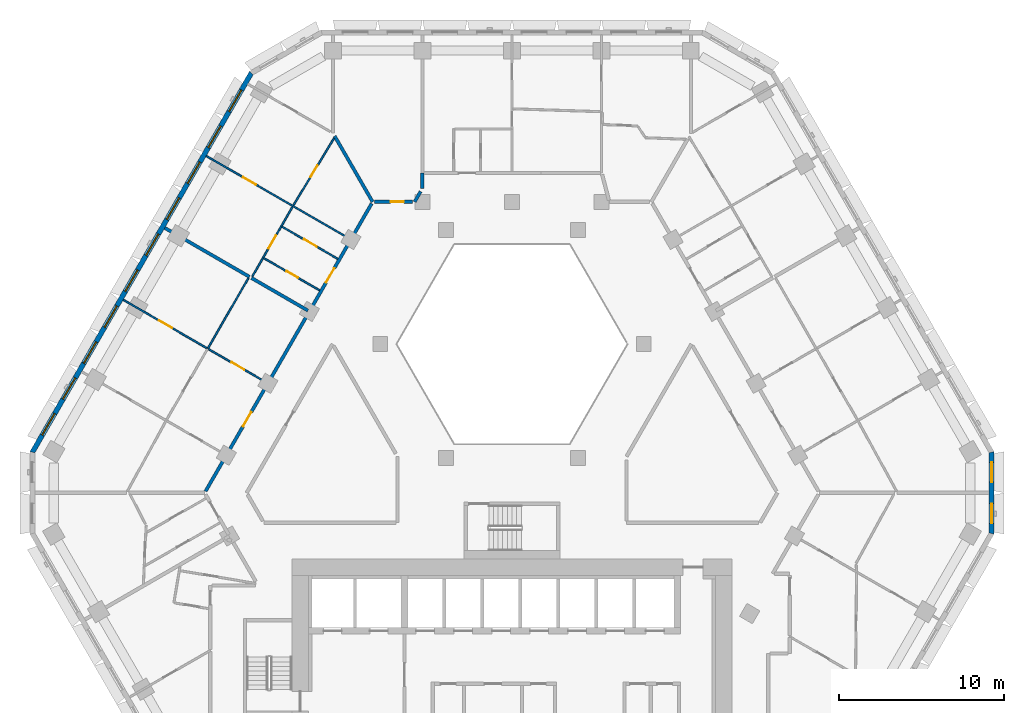
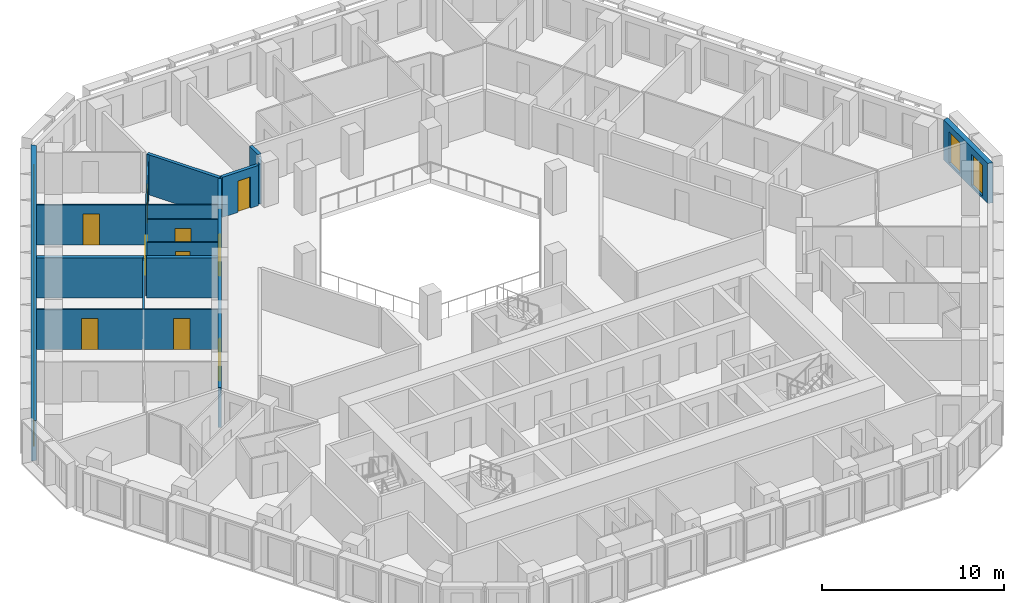
# One storey, part 8 of 18: 16 walls, 12 windows, 10 doors, 22 openings.
"""IFC4 building model written with IfcOpenShell, lengths in metres."""

from ifc_helpers import new_model, si_unit, direction, frame, frame_2d, origin, place, context, subcontext, project, spatial, polyline, rectangle, outline, extrude, material, layer, layer_set, type_object, element, fill, save


model = new_model("IFC4")

# Units and contexts
model_context = context("Model", 3, precision=1e-05, world=origin(), true_north=direction((0.0, 1.0)))
body_context = subcontext(model_context, "Body", "Model", "MODEL_VIEW")
ifc_project = project(units=[si_unit("LENGTHUNIT", "METRE"), si_unit("AREAUNIT", "SQUARE_METRE"), si_unit("VOLUMEUNIT", "CUBIC_METRE"), si_unit("PLANEANGLEUNIT", "RADIAN"), si_unit("MASSUNIT", "GRAM", prefix="KILO")], contexts=[model_context])

# Site, building, storey
site_placement = place(None, origin())
site = spatial("IfcSite", under=ifc_project, at=site_placement, CompositionType="ELEMENT")
building_placement = place(site_placement, origin())
building = spatial("IfcBuilding", under=site, at=building_placement, Name="Beryl Residences", CompositionType="ELEMENT")
storey_placement = place(building_placement, frame((0.0, 0.0, 93.0)))
storey = spatial("IfcBuildingStorey", under=building, at=storey_placement, Name="L28", CompositionType="ELEMENT", Elevation=93.0)

# Wall, openings, windows
ifc_material_1 = material(Name="Composite metal panel with mineral wool insulation")
ifc_layer_1 = layer(ifc_material_1, 0.300048828125)
ifc_layer_set_1 = layer_set([ifc_layer_1], Name="ES1 pale metal composite panel wall 300 mm")
wall_type_1 = type_object("IfcWallType", Name="ES1 pale metal composite panel wall 300 mm", PredefinedType="SOLIDWALL", material=ifc_layer_set_1)
wall_1_placement = place(storey_placement, frame((-15.7470703125, 24.425048828125, 0.0), z_axis=(0.0, 0.0, 1.0), x_axis=(-0.500027479704, -0.866009537788, 0.0)))
wall_1 = element("IfcWall", 1, at=wall_1_placement, inside=storey, type_object=wall_type_1, Name="ES1 external wall L28 NW", PredefinedType="SOLIDWALL", context=body_context, shape_type="SweptSolid", body=[
    extrude(outline(polyline([(0.0, -0.14990234375), (26.55859375, -0.14990234375), (26.478271484375, 0.14990234375), (0.080322265625, 0.14990234375), (0.0, -0.14990234375)])), origin(), (0.0, 0.0, 1.0), 2.699951171875),
])
opening_1_placement = place(wall_1_placement, frame((1.22705078125, 0.0, 0.14990234375)))
opening_1 = element("IfcOpeningElement", 2, at=opening_1_placement, cuts=wall_1, Name="Opening W1", PredefinedType="OPENING", context=body_context, shape_type="SweptSolid", body=[
    extrude(rectangle(XDim=1.5, YDim=2.10009765625, at=frame_2d((0.75, 1.050048828125))), frame((0.0, 0.159912109375, 0.0), z_axis=(0.0, -1.0, 0.0), x_axis=(1.0, 0.0, 0.0)), (0.0, 0.0, 1.0), 0.320068359375),
])
opening_2_placement = place(wall_1_placement, frame((3.739013671875, 0.0, 0.14990234375)))
opening_2 = element("IfcOpeningElement", 3, at=opening_2_placement, cuts=wall_1, Name="Opening W1", PredefinedType="OPENING", context=body_context, shape_type="SweptSolid", body=[
    extrude(rectangle(XDim=1.5, YDim=2.10009765625, at=frame_2d((0.75, 1.050048828125))), frame((0.0, 0.159912109375, 0.0), z_axis=(0.0, -1.0, 0.0), x_axis=(1.0, 0.0, 0.0)), (0.0, 0.0, 1.0), 0.320068359375),
])
opening_3_placement = place(wall_1_placement, frame((6.25, 0.0, 0.14990234375)))
opening_3 = element("IfcOpeningElement", 4, at=opening_3_placement, cuts=wall_1, Name="Opening W1", PredefinedType="OPENING", context=body_context, shape_type="SweptSolid", body=[
    extrude(rectangle(XDim=1.5, YDim=2.10009765625, at=frame_2d((0.75, 1.050048828125))), frame((0.0, 0.159912109375, 0.0), z_axis=(0.0, -1.0, 0.0), x_axis=(1.0, 0.0, 0.0)), (0.0, 0.0, 1.0), 0.320068359375),
])
opening_4_placement = place(wall_1_placement, frame((8.760986328125, 0.0, 0.14990234375)))
opening_4 = element("IfcOpeningElement", 5, at=opening_4_placement, cuts=wall_1, Name="Opening W1", PredefinedType="OPENING", context=body_context, shape_type="SweptSolid", body=[
    extrude(rectangle(XDim=1.5, YDim=2.10009765625, at=frame_2d((0.75, 1.050048828125))), frame((0.0, 0.159912109375, 0.0), z_axis=(0.0, -1.0, 0.0), x_axis=(1.0, 0.0, 0.0)), (0.0, 0.0, 1.0), 0.320068359375),
])
opening_5_placement = place(wall_1_placement, frame((11.27294921875, 0.0, 0.14990234375)))
opening_5 = element("IfcOpeningElement", 6, at=opening_5_placement, cuts=wall_1, Name="Opening W1", PredefinedType="OPENING", context=body_context, shape_type="SweptSolid", body=[
    extrude(rectangle(XDim=1.5, YDim=2.10009765625, at=frame_2d((0.75, 1.050048828125))), frame((0.0, 0.159912109375, 0.0), z_axis=(0.0, -1.0, 0.0), x_axis=(1.0, 0.0, 0.0)), (0.0, 0.0, 1.0), 0.320068359375),
])
opening_6_placement = place(wall_1_placement, frame((13.784912109375, 0.0, 0.14990234375)))
opening_6 = element("IfcOpeningElement", 7, at=opening_6_placement, cuts=wall_1, Name="Opening W1", PredefinedType="OPENING", context=body_context, shape_type="SweptSolid", body=[
    extrude(rectangle(XDim=1.5, YDim=2.10009765625, at=frame_2d((0.75, 1.050048828125))), frame((0.0, 0.159912109375, 0.0), z_axis=(0.0, -1.0, 0.0), x_axis=(1.0, 0.0, 0.0)), (0.0, 0.0, 1.0), 0.320068359375),
])
opening_7_placement = place(wall_1_placement, frame((16.2958984375, 0.0, 0.14990234375)))
opening_7 = element("IfcOpeningElement", 8, at=opening_7_placement, cuts=wall_1, Name="Opening W1", PredefinedType="OPENING", context=body_context, shape_type="SweptSolid", body=[
    extrude(rectangle(XDim=1.5, YDim=2.10009765625, at=frame_2d((0.75, 1.050048828125))), frame((0.0, 0.159912109375, 0.0), z_axis=(0.0, -1.0, 0.0), x_axis=(1.0, 0.0, 0.0)), (0.0, 0.0, 1.0), 0.320068359375),
])
opening_8_placement = place(wall_1_placement, frame((18.806884765625, 0.0, 0.14990234375)))
opening_8 = element("IfcOpeningElement", 9, at=opening_8_placement, cuts=wall_1, Name="Opening W1", PredefinedType="OPENING", context=body_context, shape_type="SweptSolid", body=[
    extrude(rectangle(XDim=1.5, YDim=2.10009765625, at=frame_2d((0.75, 1.050048828125))), frame((0.0, 0.159912109375, 0.0), z_axis=(0.0, -1.0, 0.0), x_axis=(1.0, 0.0, 0.0)), (0.0, 0.0, 1.0), 0.320068359375),
])
opening_9_placement = place(wall_1_placement, frame((21.319091796875, 0.0, 0.14990234375)))
opening_9 = element("IfcOpeningElement", 10, at=opening_9_placement, cuts=wall_1, Name="Opening W1", PredefinedType="OPENING", context=body_context, shape_type="SweptSolid", body=[
    extrude(rectangle(XDim=1.5, YDim=2.10009765625, at=frame_2d((0.75, 1.050048828125))), frame((0.0, 0.159912109375, 0.0), z_axis=(0.0, -1.0, 0.0), x_axis=(1.0, 0.0, 0.0)), (0.0, 0.0, 1.0), 0.320068359375),
])
opening_10_placement = place(wall_1_placement, frame((23.8310546875, 0.0, 0.14990234375)))
opening_10 = element("IfcOpeningElement", 11, at=opening_10_placement, cuts=wall_1, Name="Opening W1", PredefinedType="OPENING", context=body_context, shape_type="SweptSolid", body=[
    extrude(rectangle(XDim=1.5, YDim=2.10009765625, at=frame_2d((0.75, 1.050048828125))), frame((0.0, 0.159912109375, 0.0), z_axis=(0.0, -1.0, 0.0), x_axis=(1.0, 0.0, 0.0)), (0.0, 0.0, 1.0), 0.320068359375),
])
ifc_material_2 = material(Name="Aluminium and clear glass", Category="aluminium")
window_type_1 = type_object("IfcWindowType", Name="W1 cell window 1500 x 2100 mm", PartitioningType="SINGLE_PANEL", PredefinedType="WINDOW", material=ifc_material_2)
window_1_placement = place(opening_1_placement, origin())
window_1 = element("IfcWindow", 12, at=window_1_placement, inside=storey, type_object=window_type_1, Name="W1 window L28 NW 1", OverallHeight=2.10009765625, OverallWidth=1.5, PartitioningType="SINGLE_PANEL", PredefinedType="WINDOW", context=body_context, shape_type="SweptSolid", body=[
    extrude(rectangle(XDim=1.5, YDim=2.10009765625, at=frame_2d((0.75, 1.050048828125))), frame((0.0, 0.030029296875, 0.0), z_axis=(0.0, -1.0, 0.0), x_axis=(1.0, 0.0, 0.0)), (0.0, 0.0, 1.0), 0.06005859375),
])
fill(opening_1, window_1)
window_2_placement = place(opening_2_placement, origin())
window_2 = element("IfcWindow", 13, at=window_2_placement, inside=storey, type_object=window_type_1, Name="W1 window L28 NW 2", OverallHeight=2.10009765625, OverallWidth=1.5, PartitioningType="SINGLE_PANEL", PredefinedType="WINDOW", context=body_context, shape_type="SweptSolid", body=[
    extrude(rectangle(XDim=1.5, YDim=2.10009765625, at=frame_2d((0.75, 1.050048828125))), frame((0.0, 0.030029296875, 0.0), z_axis=(0.0, -1.0, 0.0), x_axis=(1.0, 0.0, 0.0)), (0.0, 0.0, 1.0), 0.06005859375),
])
fill(opening_2, window_2)
window_3_placement = place(opening_3_placement, origin())
window_3 = element("IfcWindow", 14, at=window_3_placement, inside=storey, type_object=window_type_1, Name="W1 window L28 NW 3", OverallHeight=2.10009765625, OverallWidth=1.5, PartitioningType="SINGLE_PANEL", PredefinedType="WINDOW", context=body_context, shape_type="SweptSolid", body=[
    extrude(rectangle(XDim=1.5, YDim=2.10009765625, at=frame_2d((0.75, 1.050048828125))), frame((0.0, 0.030029296875, 0.0), z_axis=(0.0, -1.0, 0.0), x_axis=(1.0, 0.0, 0.0)), (0.0, 0.0, 1.0), 0.06005859375),
])
fill(opening_3, window_3)
window_4_placement = place(opening_4_placement, origin())
window_4 = element("IfcWindow", 15, at=window_4_placement, inside=storey, type_object=window_type_1, Name="W1 window L28 NW 4", OverallHeight=2.10009765625, OverallWidth=1.5, PartitioningType="SINGLE_PANEL", PredefinedType="WINDOW", context=body_context, shape_type="SweptSolid", body=[
    extrude(rectangle(XDim=1.5, YDim=2.10009765625, at=frame_2d((0.75, 1.050048828125))), frame((0.0, 0.030029296875, 0.0), z_axis=(0.0, -1.0, 0.0), x_axis=(1.0, 0.0, 0.0)), (0.0, 0.0, 1.0), 0.06005859375),
])
fill(opening_4, window_4)
window_5_placement = place(opening_5_placement, origin())
window_5 = element("IfcWindow", 16, at=window_5_placement, inside=storey, type_object=window_type_1, Name="W1 window L28 NW 5", OverallHeight=2.10009765625, OverallWidth=1.5, PartitioningType="SINGLE_PANEL", PredefinedType="WINDOW", context=body_context, shape_type="SweptSolid", body=[
    extrude(rectangle(XDim=1.5, YDim=2.10009765625, at=frame_2d((0.75, 1.050048828125))), frame((0.0, 0.030029296875, 0.0), z_axis=(0.0, -1.0, 0.0), x_axis=(1.0, 0.0, 0.0)), (0.0, 0.0, 1.0), 0.06005859375),
])
fill(opening_5, window_5)
window_6_placement = place(opening_6_placement, origin())
window_6 = element("IfcWindow", 17, at=window_6_placement, inside=storey, type_object=window_type_1, Name="W1 window L28 NW 6", OverallHeight=2.10009765625, OverallWidth=1.5, PartitioningType="SINGLE_PANEL", PredefinedType="WINDOW", context=body_context, shape_type="SweptSolid", body=[
    extrude(rectangle(XDim=1.5, YDim=2.10009765625, at=frame_2d((0.75, 1.050048828125))), frame((0.0, 0.030029296875, 0.0), z_axis=(0.0, -1.0, 0.0), x_axis=(1.0, 0.0, 0.0)), (0.0, 0.0, 1.0), 0.06005859375),
])
fill(opening_6, window_6)
window_7_placement = place(opening_7_placement, origin())
window_7 = element("IfcWindow", 18, at=window_7_placement, inside=storey, type_object=window_type_1, Name="W1 window L28 NW 7", OverallHeight=2.10009765625, OverallWidth=1.5, PartitioningType="SINGLE_PANEL", PredefinedType="WINDOW", context=body_context, shape_type="SweptSolid", body=[
    extrude(rectangle(XDim=1.5, YDim=2.10009765625, at=frame_2d((0.75, 1.050048828125))), frame((0.0, 0.030029296875, 0.0), z_axis=(0.0, -1.0, 0.0), x_axis=(1.0, 0.0, 0.0)), (0.0, 0.0, 1.0), 0.06005859375),
])
fill(opening_7, window_7)
window_8_placement = place(opening_8_placement, origin())
window_8 = element("IfcWindow", 19, at=window_8_placement, inside=storey, type_object=window_type_1, Name="W1 window L28 NW 8", OverallHeight=2.10009765625, OverallWidth=1.5, PartitioningType="SINGLE_PANEL", PredefinedType="WINDOW", context=body_context, shape_type="SweptSolid", body=[
    extrude(rectangle(XDim=1.5, YDim=2.10009765625, at=frame_2d((0.75, 1.050048828125))), frame((0.0, 0.030029296875, 0.0), z_axis=(0.0, -1.0, 0.0), x_axis=(1.0, 0.0, 0.0)), (0.0, 0.0, 1.0), 0.06005859375),
])
fill(opening_8, window_8)
window_9_placement = place(opening_9_placement, origin())
window_9 = element("IfcWindow", 20, at=window_9_placement, inside=storey, type_object=window_type_1, Name="W1 window L28 NW 9", OverallHeight=2.10009765625, OverallWidth=1.5, PartitioningType="SINGLE_PANEL", PredefinedType="WINDOW", context=body_context, shape_type="SweptSolid", body=[
    extrude(rectangle(XDim=1.5, YDim=2.10009765625, at=frame_2d((0.75, 1.050048828125))), frame((0.0, 0.030029296875, 0.0), z_axis=(0.0, -1.0, 0.0), x_axis=(1.0, 0.0, 0.0)), (0.0, 0.0, 1.0), 0.06005859375),
])
fill(opening_9, window_9)
window_10_placement = place(opening_10_placement, origin())
window_10 = element("IfcWindow", 21, at=window_10_placement, inside=storey, type_object=window_type_1, Name="W1 window L28 NW 10", OverallHeight=2.10009765625, OverallWidth=1.5, PartitioningType="SINGLE_PANEL", PredefinedType="WINDOW", context=body_context, shape_type="SweptSolid", body=[
    extrude(rectangle(XDim=1.5, YDim=2.10009765625, at=frame_2d((0.75, 1.050048828125))), frame((0.0, 0.030029296875, 0.0), z_axis=(0.0, -1.0, 0.0), x_axis=(1.0, 0.0, 0.0)), (0.0, 0.0, 1.0), 0.06005859375),
])
fill(opening_10, window_10)

wall_2_placement = place(storey_placement, frame((29.007080078125, -3.5, 0.0), z_axis=(0.0, 0.0, 1.0), x_axis=(0.0, 1.0, 0.0)))
wall_2 = element("IfcWall", 22, at=wall_2_placement, inside=storey, type_object=wall_type_1, Name="ES1 external wall L28 SE-NE", PredefinedType="SOLIDWALL", context=body_context, shape_type="SweptSolid", body=[
    extrude(outline(polyline([(0.0, -0.14990234375), (5.0, -0.14990234375), (4.919677734375, 0.14990234375), (0.080322265625, 0.14990234375), (0.0, -0.14990234375)])), origin(), (0.0, 0.0, 1.0), 2.699951171875),
])
opening_11_placement = place(wall_2_placement, frame((0.64990234375, 0.0, 0.14990234375)))
opening_11 = element("IfcOpeningElement", 23, at=opening_11_placement, cuts=wall_2, Name="Opening W2", PredefinedType="OPENING", context=body_context, shape_type="SweptSolid", body=[
    extrude(rectangle(XDim=1.199951171875, YDim=2.10009765625, at=frame_2d((0.60009765625, 1.050048828125))), frame((0.0, 0.159912109375, 0.0), z_axis=(0.0, -1.0, 0.0), x_axis=(1.0, 0.0, 0.0)), (0.0, 0.0, 1.0), 0.320068359375),
])
opening_12_placement = place(wall_2_placement, frame((3.14990234375, 0.0, 0.14990234375)))
opening_12 = element("IfcOpeningElement", 24, at=opening_12_placement, cuts=wall_2, Name="Opening W2", PredefinedType="OPENING", context=body_context, shape_type="SweptSolid", body=[
    extrude(rectangle(XDim=1.199951171875, YDim=2.10009765625, at=frame_2d((0.60009765625, 1.050048828125))), frame((0.0, 0.159912109375, 0.0), z_axis=(0.0, -1.0, 0.0), x_axis=(1.0, 0.0, 0.0)), (0.0, 0.0, 1.0), 0.320068359375),
])
ifc_material_3 = material(Name="Aluminium and clear glass", Category="aluminium")
window_type_2 = type_object("IfcWindowType", Name="W2 chamfer window 1200 x 2100 mm", PartitioningType="SINGLE_PANEL", PredefinedType="WINDOW", material=ifc_material_3)
window_11_placement = place(opening_11_placement, origin())
window_11 = element("IfcWindow", 25, at=window_11_placement, inside=storey, type_object=window_type_2, Name="W2 window L28 SE-NE 1", OverallHeight=2.10009765625, OverallWidth=1.199951171875, PartitioningType="SINGLE_PANEL", PredefinedType="WINDOW", context=body_context, shape_type="SweptSolid", body=[
    extrude(rectangle(XDim=1.199951171875, YDim=2.10009765625, at=frame_2d((0.60009765625, 1.050048828125))), frame((0.0, 0.030029296875, 0.0), z_axis=(0.0, -1.0, 0.0), x_axis=(1.0, 0.0, 0.0)), (0.0, 0.0, 1.0), 0.06005859375),
])
fill(opening_11, window_11)
window_12_placement = place(opening_12_placement, origin())
window_12 = element("IfcWindow", 26, at=window_12_placement, inside=storey, type_object=window_type_2, Name="W2 window L28 SE-NE 2", OverallHeight=2.10009765625, OverallWidth=1.199951171875, PartitioningType="SINGLE_PANEL", PredefinedType="WINDOW", context=body_context, shape_type="SweptSolid", body=[
    extrude(rectangle(XDim=1.199951171875, YDim=2.10009765625, at=frame_2d((0.60009765625, 1.050048828125))), frame((0.0, 0.030029296875, 0.0), z_axis=(0.0, -1.0, 0.0), x_axis=(1.0, 0.0, 0.0)), (0.0, 0.0, 1.0), 0.06005859375),
])
fill(opening_12, window_12)

# Wall, openings, doors
ifc_material_4 = material(Name="Gypsum board partition on steel studs", Category="steel")
ifc_layer_2 = layer(ifc_material_4, 0.10009765625)
ifc_layer_set_2 = layer_set([ifc_layer_2], Name="PT1 partition 100 mm gypsum board on steel studs")
wall_type_2 = type_object("IfcWallType", Name="PT1 partition 100 mm gypsum board on steel studs", PredefinedType="PARTITIONING", material=ifc_layer_set_2)
wall_3_placement = place(storey_placement, frame((-23.512939453125, 10.675048828125, 0.0), z_axis=(0.0, 0.0, 1.0), x_axis=(0.866041268327, -0.499972520799, 0.0)))
wall_3 = element("IfcWall", 27, at=wall_3_placement, inside=storey, type_object=wall_type_2, Name="Wall PT1 L28 020", PredefinedType="PARTITIONING", context=body_context, shape_type="SweptSolid", body=[
    extrude(rectangle(XDim=10.00048828125, YDim=0.10009765625, at=frame_2d((5.000244140625, 0.0))), origin(), (0.0, 0.0, 1.0), 2.699951171875),
])
opening_13_placement = place(wall_3_placement, frame((7.550048828125, 0.0, 0.0)))
opening_13 = element("IfcOpeningElement", 28, at=opening_13_placement, cuts=wall_3, Name="Opening D0752", PredefinedType="OPENING", context=body_context, shape_type="SweptSolid", body=[
    extrude(rectangle(XDim=0.89990234375, YDim=2.10009765625, at=frame_2d((0.449951171875, 1.050048828125))), frame((0.0, 0.06005859375, 0.0), z_axis=(0.0, -1.0, 0.0), x_axis=(1.0, 0.0, 0.0)), (0.0, 0.0, 1.0), 0.1201171875),
])
opening_14_placement = place(wall_3_placement, frame((2.5, 0.0, 0.0)))
opening_14 = element("IfcOpeningElement", 29, at=opening_14_placement, cuts=wall_3, Name="Opening D0754", PredefinedType="OPENING", context=body_context, shape_type="SweptSolid", body=[
    extrude(rectangle(XDim=0.89990234375, YDim=2.10009765625, at=frame_2d((0.449951171875, 1.050048828125))), frame((0.0, 0.06005859375, 0.0), z_axis=(0.0, -1.0, 0.0), x_axis=(1.0, 0.0, 0.0)), (0.0, 0.0, 1.0), 0.1201171875),
])
ifc_material_5 = material(Name="Timber door leaf", Category="wood")
door_type_1 = type_object("IfcDoorType", Name="D2 room door 900 x 2100 mm", OperationType="SINGLE_SWING_LEFT", PredefinedType="DOOR", material=ifc_material_5)
door_1_placement = place(opening_13_placement, origin())
door_1 = element("IfcDoor", 30, at=door_1_placement, inside=storey, type_object=door_type_1, Name="Door D0752 L28 001", OperationType="SINGLE_SWING_RIGHT", OverallHeight=2.10009765625, OverallWidth=0.89990234375, PredefinedType="DOOR", context=body_context, shape_type="SweptSolid", body=[
    extrude(rectangle(XDim=0.89990234375, YDim=2.10009765625, at=frame_2d((0.449951171875, 1.050048828125))), frame((0.0, 0.02490234375, 0.0), z_axis=(0.0, -1.0, 0.0), x_axis=(1.0, 0.0, 0.0)), (0.0, 0.0, 1.0), 0.050048828125),
])
fill(opening_13, door_1)
door_2_placement = place(opening_14_placement, origin())
door_2 = element("IfcDoor", 31, at=door_2_placement, inside=storey, type_object=door_type_1, Name="Door D0754 L28 001", OperationType="SINGLE_SWING_RIGHT", OverallHeight=2.10009765625, OverallWidth=0.89990234375, PredefinedType="DOOR", context=body_context, shape_type="SweptSolid", body=[
    extrude(rectangle(XDim=0.89990234375, YDim=2.10009765625, at=frame_2d((0.449951171875, 1.050048828125))), frame((0.0, 0.02490234375, 0.0), z_axis=(0.0, -1.0, 0.0), x_axis=(1.0, 0.0, 0.0)), (0.0, 0.0, 1.0), 0.050048828125),
])
fill(opening_14, door_2)

# Wall, opening, door
wall_4_placement = place(storey_placement, frame((-15.009033203125, 13.196044921875, 0.0), z_axis=(0.0, 0.0, 1.0), x_axis=(0.865916335424, -0.500188864377, 0.0)))
wall_4 = element("IfcWall", 32, at=wall_4_placement, inside=storey, type_object=wall_type_2, Name="Wall PT1 L28 022", PredefinedType="PARTITIONING", context=body_context, shape_type="SweptSolid", body=[
    extrude(rectangle(XDim=3.896484375, YDim=0.10009765625, at=frame_2d((1.9482421875, 0.0))), origin(), (0.0, 0.0, 1.0), 2.699951171875),
])
opening_15_placement = place(wall_4_placement, frame((1.572998046875, 0.0, 0.0)))
opening_15 = element("IfcOpeningElement", 33, at=opening_15_placement, cuts=wall_4, Name="Opening D0743", PredefinedType="OPENING", context=body_context, shape_type="SweptSolid", body=[
    extrude(rectangle(XDim=0.800048828125, YDim=2.10009765625, at=frame_2d((0.39990234375, 1.050048828125))), frame((0.0, 0.06005859375, 0.0), z_axis=(0.0, -1.0, 0.0), x_axis=(1.0, 0.0, 0.0)), (0.0, 0.0, 1.0), 0.1201171875),
])
ifc_material_6 = material(Name="Timber door leaf", Category="wood")
door_type_2 = type_object("IfcDoorType", Name="D3 bathroom door 800 x 2100 mm", OperationType="SINGLE_SWING_LEFT", PredefinedType="DOOR", material=ifc_material_6)
door_3_placement = place(opening_15_placement, origin())
door_3 = element("IfcDoor", 34, at=door_3_placement, inside=storey, type_object=door_type_2, Name="Door D0743 L28 001", OperationType="SINGLE_SWING_LEFT", OverallHeight=2.10009765625, OverallWidth=0.800048828125, PredefinedType="DOOR", context=body_context, shape_type="SweptSolid", body=[
    extrude(rectangle(XDim=0.800048828125, YDim=2.10009765625, at=frame_2d((0.39990234375, 1.050048828125))), frame((0.0, 0.02490234375, 0.0), z_axis=(0.0, -1.0, 0.0), x_axis=(1.0, 0.0, 0.0)), (0.0, 0.0, 1.0), 0.050048828125),
])
fill(opening_15, door_3)

wall_5_placement = place(storey_placement, frame((-13.908935546875, 15.10107421875, 0.0), z_axis=(0.0, 0.0, 1.0), x_axis=(0.866024880635, -0.500000906121, 0.0)))
wall_5 = element("IfcWall", 35, at=wall_5_placement, inside=storey, type_object=wall_type_2, Name="Wall PT1 L28 024", PredefinedType="PARTITIONING", context=body_context, shape_type="SweptSolid", body=[
    extrude(rectangle(XDim=3.89599609375, YDim=0.10009765625, at=frame_2d((1.947998046875, 0.0))), origin(), (0.0, 0.0, 1.0), 2.699951171875),
])
opening_16_placement = place(wall_5_placement, frame((1.52294921875, 0.0, 0.0)))
opening_16 = element("IfcOpeningElement", 36, at=opening_16_placement, cuts=wall_5, Name="Opening D0744", PredefinedType="OPENING", context=body_context, shape_type="SweptSolid", body=[
    extrude(rectangle(XDim=0.89990234375, YDim=2.10009765625, at=frame_2d((0.449951171875, 1.050048828125))), frame((0.0, 0.06005859375, 0.0), z_axis=(0.0, -1.0, 0.0), x_axis=(1.0, 0.0, 0.0)), (0.0, 0.0, 1.0), 0.1201171875),
])
door_4_placement = place(opening_16_placement, origin())
door_4 = element("IfcDoor", 37, at=door_4_placement, inside=storey, type_object=door_type_1, Name="Door D0744 L28 001", OperationType="SINGLE_SWING_RIGHT", OverallHeight=2.10009765625, OverallWidth=0.89990234375, PredefinedType="DOOR", context=body_context, shape_type="SweptSolid", body=[
    extrude(rectangle(XDim=0.89990234375, YDim=2.10009765625, at=frame_2d((0.449951171875, 1.050048828125))), frame((0.0, 0.02490234375, 0.0), z_axis=(0.0, -1.0, 0.0), x_axis=(1.0, 0.0, 0.0)), (0.0, 0.0, 1.0), 0.050048828125),
])
fill(opening_16, door_4)

wall_6_placement = place(storey_placement, frame((-18.489013671875, 19.375, 0.0), z_axis=(0.0, 0.0, 1.0), x_axis=(0.866016855193, -0.500014806302, 0.0)))
wall_6 = element("IfcWall", 38, at=wall_6_placement, inside=storey, type_object=wall_type_2, Name="Wall PT1 L28 025", PredefinedType="PARTITIONING", context=body_context, shape_type="SweptSolid", body=[
    extrude(rectangle(XDim=9.999755859375, YDim=0.10009765625, at=frame_2d((5.0, 0.0))), origin(), (0.0, 0.0, 1.0), 2.699951171875),
])
opening_17_placement = place(wall_6_placement, frame((2.576904296875, 0.0, 0.0)))
opening_17 = element("IfcOpeningElement", 39, at=opening_17_placement, cuts=wall_6, Name="Opening D0746", PredefinedType="OPENING", context=body_context, shape_type="SweptSolid", body=[
    extrude(rectangle(XDim=0.89990234375, YDim=2.10009765625, at=frame_2d((0.449951171875, 1.050048828125))), frame((0.0, 0.06005859375, 0.0), z_axis=(0.0, -1.0, 0.0), x_axis=(1.0, 0.0, 0.0)), (0.0, 0.0, 1.0), 0.1201171875),
])
door_5_placement = place(opening_17_placement, origin())
door_5 = element("IfcDoor", 40, at=door_5_placement, inside=storey, type_object=door_type_1, Name="Door D0746 L28 001", OperationType="SINGLE_SWING_RIGHT", OverallHeight=2.10009765625, OverallWidth=0.89990234375, PredefinedType="DOOR", context=body_context, shape_type="SweptSolid", body=[
    extrude(rectangle(XDim=0.89990234375, YDim=2.10009765625, at=frame_2d((0.449951171875, 1.050048828125))), frame((0.0, 0.02490234375, 0.0), z_axis=(0.0, -1.0, 0.0), x_axis=(1.0, 0.0, 0.0)), (0.0, 0.0, 1.0), 0.050048828125),
])
fill(opening_17, door_5)

wall_7_placement = place(storey_placement, frame((-13.220947265625, 16.39111328125, 0.0), z_axis=(0.0, 0.0, 1.0), x_axis=(0.518164725284, 0.855280841286, 0.0)))
wall_7 = element("IfcWall", 41, at=wall_7_placement, inside=storey, type_object=wall_type_2, Name="Wall PT1 L28 030", PredefinedType="PARTITIONING", context=body_context, shape_type="SweptSolid", body=[
    extrude(rectangle(XDim=4.739990234375, YDim=0.10009765625, at=frame_2d((2.3701171875, 0.0))), origin(), (0.0, 0.0, 1.0), 2.699951171875),
])
opening_18_placement = place(wall_7_placement, frame((2.001953125, 0.0, 0.0)))
opening_18 = element("IfcOpeningElement", 42, at=opening_18_placement, cuts=wall_7, Name="Opening D0748", PredefinedType="OPENING", context=body_context, shape_type="SweptSolid", body=[
    extrude(rectangle(XDim=0.800048828125, YDim=2.10009765625, at=frame_2d((0.39990234375, 1.050048828125))), frame((0.0, 0.06005859375, 0.0), z_axis=(0.0, -1.0, 0.0), x_axis=(1.0, 0.0, 0.0)), (0.0, 0.0, 1.0), 0.1201171875),
])
door_6_placement = place(opening_18_placement, origin())
door_6 = element("IfcDoor", 43, at=door_6_placement, inside=storey, type_object=door_type_2, Name="Door D0748 L28 001", OperationType="SINGLE_SWING_RIGHT", OverallHeight=2.10009765625, OverallWidth=0.800048828125, PredefinedType="DOOR", context=body_context, shape_type="SweptSolid", body=[
    extrude(rectangle(XDim=0.800048828125, YDim=2.10009765625, at=frame_2d((0.39990234375, 1.050048828125))), frame((0.0, 0.02490234375, 0.0), z_axis=(0.0, -1.0, 0.0), x_axis=(1.0, 0.0, 0.0)), (0.0, 0.0, 1.0), 0.050048828125),
])
fill(opening_18, door_6)

wall_8_placement = place(storey_placement, frame((-15.7080078125, 12.0849609375, 0.0), z_axis=(0.0, 0.0, 1.0), x_axis=(0.499943653708, 0.866057932887, 0.0)))
wall_8 = element("IfcWall", 44, at=wall_8_placement, inside=storey, type_object=wall_type_2, Name="Wall PT1 L28 031", PredefinedType="PARTITIONING", context=body_context, shape_type="SweptSolid", body=[
    extrude(rectangle(XDim=4.87255859375, YDim=0.10009765625, at=frame_2d((2.436279296875, 0.0))), origin(), (0.0, 0.0, 1.0), 2.699951171875),
])
opening_19_placement = place(wall_8_placement, frame((1.9619140625, 0.0, 0.0)))
opening_19 = element("IfcOpeningElement", 45, at=opening_19_placement, cuts=wall_8, Name="Opening D0745", PredefinedType="OPENING", context=body_context, shape_type="SweptSolid", body=[
    extrude(rectangle(XDim=0.89990234375, YDim=2.10009765625, at=frame_2d((0.449951171875, 1.050048828125))), frame((0.0, 0.06005859375, 0.0), z_axis=(0.0, -1.0, 0.0), x_axis=(1.0, 0.0, 0.0)), (0.0, 0.0, 1.0), 0.1201171875),
])
door_7_placement = place(opening_19_placement, origin())
door_7 = element("IfcDoor", 46, at=door_7_placement, inside=storey, type_object=door_type_1, Name="Door D0745 L28 001", OperationType="SINGLE_SWING_LEFT", OverallHeight=2.10009765625, OverallWidth=0.89990234375, PredefinedType="DOOR", context=body_context, shape_type="SweptSolid", body=[
    extrude(rectangle(XDim=0.89990234375, YDim=2.10009765625, at=frame_2d((0.449951171875, 1.050048828125))), frame((0.0, 0.02490234375, 0.0), z_axis=(0.0, -1.0, 0.0), x_axis=(1.0, 0.0, 0.0)), (0.0, 0.0, 1.0), 0.050048828125),
])
fill(opening_19, door_7)

# Walls
wall_9_placement = place(storey_placement, frame((-18.403076171875, 7.72509765625, 0.0), z_axis=(0.0, 0.0, 1.0), x_axis=(0.499995794706, 0.866027831699, 0.0)))
element("IfcWall", 47, at=wall_9_placement, inside=storey, type_object=wall_type_2, Name="Wall PT1 L28 062", PredefinedType="PARTITIONING", context=body_context, shape_type="SweptSolid", body=[
    extrude(rectangle(XDim=4.92236328125, YDim=0.10009765625, at=frame_2d((2.461181640625, 0.0))), origin(), (0.0, 0.0, 1.0), 2.699951171875),
])
ifc_material_7 = material(Name="Acoustic double stud gypsum board wall")
ifc_layer_3 = layer(ifc_material_7, 0.199951171875)
ifc_layer_set_3 = layer_set([ifc_layer_3], Name="PT3 party wall 200 mm acoustic double stud")
wall_type_3 = type_object("IfcWallType", Name="PT3 party wall 200 mm acoustic double stud", PredefinedType="PARTITIONING", material=ifc_layer_set_3)
wall_10_placement = place(storey_placement, frame((-10.72705078125, 20.580078125, 0.0), z_axis=(0.0, 0.0, 1.0), x_axis=(0.500041272028, -0.866001574057, 0.0)))
element("IfcWall", 48, at=wall_10_placement, inside=storey, type_object=wall_type_3, Name="Wall PT3 L28 001", PredefinedType="PARTITIONING", context=body_context, shape_type="SweptSolid", body=[
    extrude(rectangle(XDim=4.595703125, YDim=0.199951171875, at=frame_2d((2.2978515625, 0.0))), origin(), (0.0, 0.0, 1.0), 2.699951171875),
])
wall_11_placement = place(storey_placement, frame((-21.0009765625, 15.02490234375, 0.0), z_axis=(0.0, 0.0, 1.0), x_axis=(0.866031754707, -0.499988999718, 0.0)))
element("IfcWall", 49, at=wall_11_placement, inside=storey, type_object=wall_type_3, Name="Wall PT3 L28 006", PredefinedType="PARTITIONING", context=body_context, shape_type="SweptSolid", body=[
    extrude(rectangle(XDim=5.920166015625, YDim=0.199951171875, at=frame_2d((2.9599609375, 0.0))), origin(), (0.0, 0.0, 1.0), 2.699951171875),
])
wall_12_placement = place(storey_placement, frame((-15.758056640625, 11.998046875, 0.0), z_axis=(0.0, 0.0, 1.0), x_axis=(0.865987741337, -0.5000652276, 0.0)))
element("IfcWall", 50, at=wall_12_placement, inside=storey, type_object=wall_type_3, Name="Wall PT3 L28 007", PredefinedType="PARTITIONING", context=body_context, shape_type="SweptSolid", body=[
    extrude(rectangle(XDim=3.94580078125, YDim=0.199951171875, at=frame_2d((1.972900390625, 0.0))), origin(), (0.0, 0.0, 1.0), 2.699951171875),
])

# Wall, opening, door
ifc_material_8 = material(Name="Double stud gypsum board wall")
ifc_layer_4 = layer(ifc_material_8, 0.199951171875)
ifc_layer_set_4 = layer_set([ifc_layer_4], Name="PT4 corridor wall 200 mm double stud")
wall_type_4 = type_object("IfcWallType", Name="PT4 corridor wall 200 mm double stud", PredefinedType="PARTITIONING", material=ifc_layer_set_4)
wall_13_placement = place(storey_placement, frame((-8.31396484375, 16.60009765625, 0.0), z_axis=(0.0, 0.0, 1.0), x_axis=(1.0, 0.0, 0.0)))
wall_13 = element("IfcWall", 51, at=wall_13_placement, inside=storey, type_object=wall_type_4, Name="Wall PT4 L28 019", PredefinedType="PARTITIONING", context=body_context, shape_type="SweptSolid", body=[
    extrude(rectangle(XDim=2.30908203125, YDim=0.199951171875, at=frame_2d((1.154541015625, 0.0))), origin(), (0.0, 0.0, 1.0), 2.699951171875),
])
opening_20_placement = place(wall_13_placement, frame((0.97705078125, 0.0, 0.0)))
opening_20 = element("IfcOpeningElement", 52, at=opening_20_placement, cuts=wall_13, Name="Opening D0741", PredefinedType="OPENING", context=body_context, shape_type="SweptSolid", body=[
    extrude(rectangle(XDim=0.800048828125, YDim=2.10009765625, at=frame_2d((0.39990234375, 1.050048828125))), frame((0.0, 0.10986328125, 0.0), z_axis=(0.0, -1.0, 0.0), x_axis=(1.0, 0.0, 0.0)), (0.0, 0.0, 1.0), 0.219970703125),
])
door_8_placement = place(opening_20_placement, origin())
door_8 = element("IfcDoor", 53, at=door_8_placement, inside=storey, type_object=door_type_2, Name="Door D0741 L28 001", OperationType="SINGLE_SWING_LEFT", OverallHeight=2.10009765625, OverallWidth=0.800048828125, PredefinedType="DOOR", context=body_context, shape_type="SweptSolid", body=[
    extrude(rectangle(XDim=0.800048828125, YDim=2.10009765625, at=frame_2d((0.39990234375, 1.050048828125))), frame((0.0, 0.02490234375, 0.0), z_axis=(0.0, -1.0, 0.0), x_axis=(1.0, 0.0, 0.0)), (0.0, 0.0, 1.0), 0.050048828125),
])
fill(opening_20, door_8)

# Wall
wall_14_placement = place(storey_placement, frame((-5.888916015625, 16.60009765625, 0.0), z_axis=(0.0, 0.0, 1.0), x_axis=(0.499839240638, 0.866118198353, 0.0)))
element("IfcWall", 54, at=wall_14_placement, inside=storey, type_object=wall_type_4, Name="Wall PT4 L28 027", PredefinedType="PARTITIONING", context=body_context, shape_type="SweptSolid", body=[
    extrude(rectangle(XDim=0.723876953125, YDim=0.199951171875, at=frame_2d((0.36181640625, 0.0))), origin(), (0.0, 0.0, 1.0), 2.699951171875),
])

# Wall, openings, doors
wall_15_placement = place(storey_placement, frame((-18.532958984375, -0.90087890625, 0.0), z_axis=(0.0, 0.0, 1.0), x_axis=(0.499981198768, 0.866036258409, 0.0)))
wall_15 = element("IfcWall", 55, at=wall_15_placement, inside=storey, type_object=wall_type_4, Name="Wall PT4 L28 028", PredefinedType="PARTITIONING", context=body_context, shape_type="SweptSolid", body=[
    extrude(rectangle(XDim=20.092529296875, YDim=0.199951171875, at=frame_2d((10.04638671875, 0.0))), origin(), (0.0, 0.0, 1.0), 2.699951171875),
])
opening_21_placement = place(wall_15_placement, frame((14.570068359375, 0.0, 0.0)))
opening_21 = element("IfcOpeningElement", 56, at=opening_21_placement, cuts=wall_15, Name="Opening D0742", PredefinedType="OPENING", context=body_context, shape_type="SweptSolid", body=[
    extrude(rectangle(XDim=1.0, YDim=2.10009765625, at=frame_2d((0.5, 1.050048828125))), frame((0.0, 0.10986328125, 0.0), z_axis=(0.0, -1.0, 0.0), x_axis=(1.0, 0.0, 0.0)), (0.0, 0.0, 1.0), 0.219970703125),
])
opening_22_placement = place(wall_15_placement, frame((4.52294921875, 0.0, 0.0)))
opening_22 = element("IfcOpeningElement", 57, at=opening_22_placement, cuts=wall_15, Name="Opening D0749", PredefinedType="OPENING", context=body_context, shape_type="SweptSolid", body=[
    extrude(rectangle(XDim=1.0, YDim=2.10009765625, at=frame_2d((0.5, 1.050048828125))), frame((0.0, 0.10986328125, 0.0), z_axis=(0.0, -1.0, 0.0), x_axis=(1.0, 0.0, 0.0)), (0.0, 0.0, 1.0), 0.219970703125),
])
ifc_material_9 = material(Name="Timber door leaf", Category="wood")
door_type_3 = type_object("IfcDoorType", Name="D1 flat entrance door 1000 x 2100 mm", OperationType="SINGLE_SWING_LEFT", PredefinedType="DOOR", material=ifc_material_9)
door_9_placement = place(opening_21_placement, origin())
door_9 = element("IfcDoor", 58, at=door_9_placement, inside=storey, type_object=door_type_3, Name="Door D0742 L28 001", OperationType="SINGLE_SWING_RIGHT", OverallHeight=2.10009765625, OverallWidth=1.0, PredefinedType="DOOR", context=body_context, shape_type="SweptSolid", body=[
    extrude(rectangle(XDim=1.0, YDim=2.10009765625, at=frame_2d((0.5, 1.050048828125))), frame((0.0, 0.02490234375, 0.0), z_axis=(0.0, -1.0, 0.0), x_axis=(1.0, 0.0, 0.0)), (0.0, 0.0, 1.0), 0.050048828125),
])
fill(opening_21, door_9)
door_10_placement = place(opening_22_placement, origin())
door_10 = element("IfcDoor", 59, at=door_10_placement, inside=storey, type_object=door_type_3, Name="Door D0749 L28 001", OperationType="SINGLE_SWING_LEFT", OverallHeight=2.10009765625, OverallWidth=1.0, PredefinedType="DOOR", context=body_context, shape_type="SweptSolid", body=[
    extrude(rectangle(XDim=1.0, YDim=2.10009765625, at=frame_2d((0.5, 1.050048828125))), frame((0.0, 0.02490234375, 0.0), z_axis=(0.0, -1.0, 0.0), x_axis=(1.0, 0.0, 0.0)), (0.0, 0.0, 1.0), 0.050048828125),
])
fill(opening_22, door_10)

# Wall
wall_16_placement = place(storey_placement, frame((-5.427001953125, 17.39990234375, 0.0), z_axis=(0.0, 0.0, 1.0), x_axis=(0.0, 1.0, 0.0)))
element("IfcWall", 60, at=wall_16_placement, inside=storey, type_object=wall_type_4, Name="Wall PT4 L28 031", PredefinedType="PARTITIONING", context=body_context, shape_type="SweptSolid", body=[
    extrude(rectangle(XDim=0.9501953125, YDim=0.199951171875, at=frame_2d((0.47509765625, 0.0))), origin(), (0.0, 0.0, 1.0), 2.699951171875),
])

save(model, "model.ifc")
